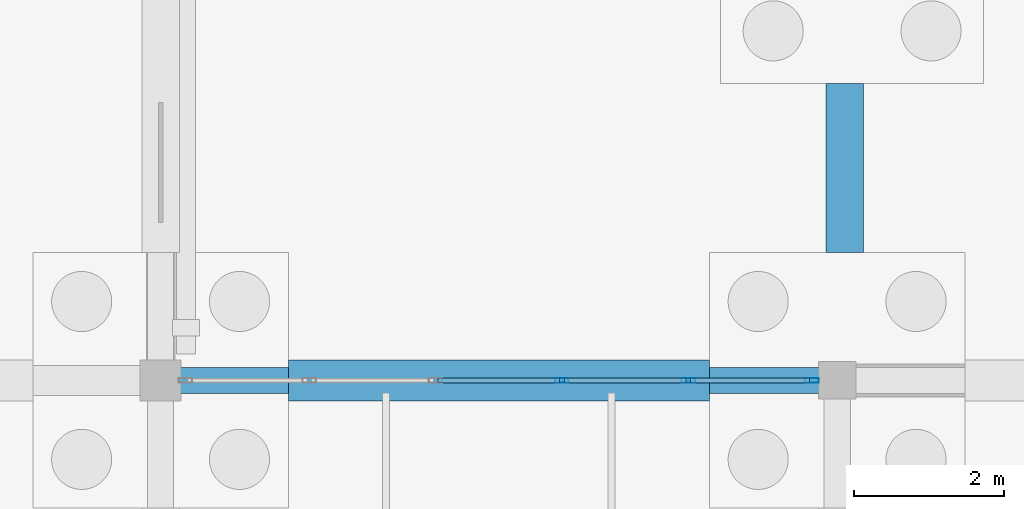
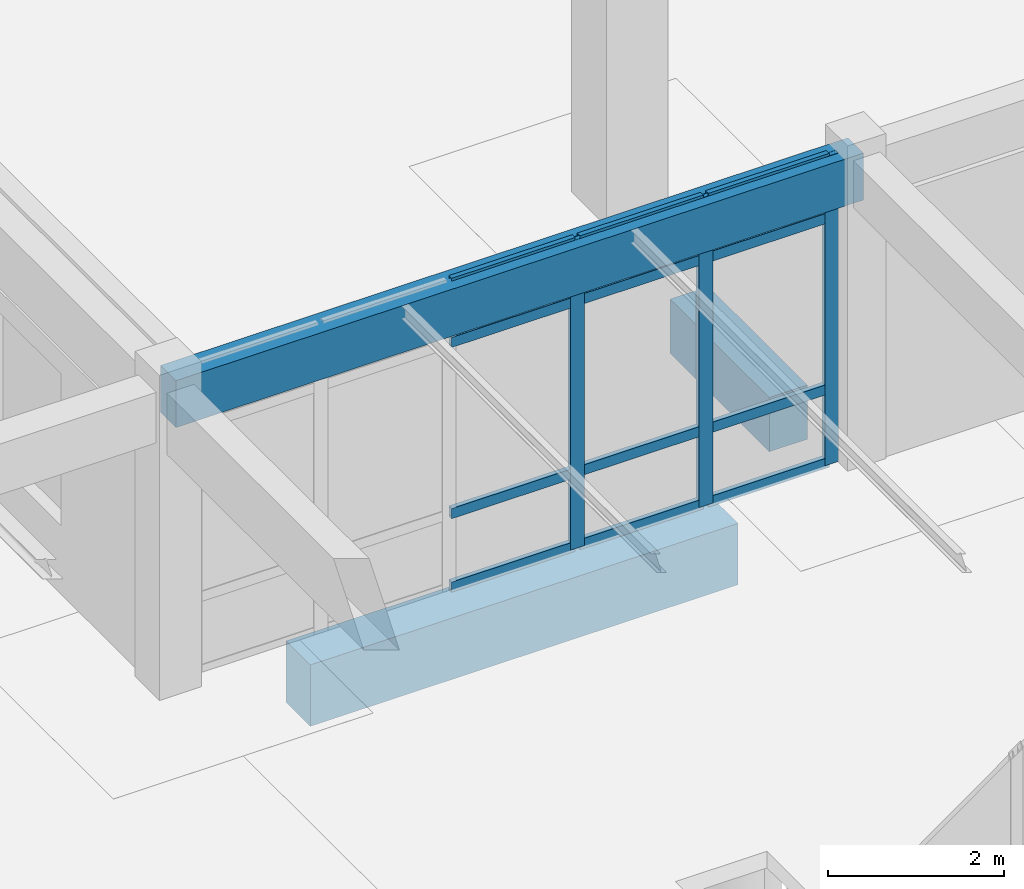
# One storey, part 31 of 186: 15 members, 3 beams, 1 element without a shape of its own.
"""IFC4 building model written with IfcOpenShell, lengths in metres."""

from ifc_helpers import new_model, si_unit, direction, frame, origin, origin_2d, place, context, subcontext, project, spatial, rectangle, hollow_rectangle, extrude, material, layer, layer_set, material_profile, profile_set, type_object, element, aggregate, save


model = new_model("IFC4")

# Units and contexts
model_context = context("Model", 3, precision=1e-05, world=origin(), true_north=direction((0.0, 1.0)))
body_context = subcontext(model_context, "Body", "Model", "MODEL_VIEW")
ifc_project = project(units=[si_unit("LENGTHUNIT", "METRE"), si_unit("AREAUNIT", "SQUARE_METRE"), si_unit("VOLUMEUNIT", "CUBIC_METRE"), si_unit("PLANEANGLEUNIT", "RADIAN"), si_unit("MASSUNIT", "GRAM", prefix="KILO")], contexts=[model_context])

# Site, building, storey
site_placement = place(None, origin())
site = spatial("IfcSite", under=ifc_project, at=site_placement, CompositionType="ELEMENT")
building_placement = place(site_placement, origin())
building = spatial("IfcBuilding", under=site, at=building_placement, Name="Ornek Quay Market", CompositionType="ELEMENT")
storey_placement = place(building_placement, origin())
storey = spatial("IfcBuildingStorey", under=building, at=storey_placement, Name="L00", CompositionType="ELEMENT", Elevation=0.0)

# Beams
ifc_material_1 = material(Name="Concrete C35/45", Category="concrete")
ifc_material_profile_1 = material_profile(ifc_material_1, rectangle(XDim=0.35009765625, YDim=0.64990234375, at=origin_2d()), Name="RC 350x650", Category="concrete")
ifc_profile_set_1 = profile_set([ifc_material_profile_1], Name="Concrete C35/45")
beam_type_1 = type_object("IfcBeamType", Name="BM-CONC-350x650", PredefinedType="BEAM", material=ifc_profile_set_1)
beam_1_placement = place(storey_placement, frame((27.0, 29.0, 3.945068359375), z_axis=(1.0, 0.0, 0.0), x_axis=(0.0, 1.0, 0.0)))
element("IfcBeam", 1, at=beam_1_placement, inside=storey, type_object=beam_type_1, Name="Primary beam B-CN1-067", PredefinedType="BEAM", context=body_context, shape_type="SweptSolid", body=[
    extrude(rectangle(XDim=0.35009765625, YDim=0.64990234375, at=origin_2d()), origin(), (0.0, 0.0, 1.0), 9.0),
])
ifc_material_profile_2 = material_profile(ifc_material_1, rectangle(XDim=0.5, YDim=0.75, at=origin_2d()), Name="RC 500x750", Category="concrete")
ifc_profile_set_2 = profile_set([ifc_material_profile_2], Name="Concrete C35/45")
beam_type_2 = type_object("IfcBeamType", Name="BM-GB-500x750", PredefinedType="BEAM", material=ifc_profile_set_2)
beam_2_placement = place(storey_placement, frame((36.10009765625, 30.699951171875, -0.574951171875), z_axis=(0.0, 1.0, 0.0), x_axis=(-1.0, 0.0, 0.0)))
element("IfcBeam", 2, at=beam_2_placement, inside=storey, type_object=beam_type_2, Name="Ground tie beam GB-089", PredefinedType="BEAM", context=body_context, shape_type="SweptSolid", body=[
    extrude(rectangle(XDim=0.5, YDim=0.75, at=origin_2d()), origin(), (0.0, 0.0, 1.0), 2.25),
])
ifc_material_profile_3 = material_profile(ifc_material_1, rectangle(XDim=0.550048828125, YDim=0.85009765625, at=origin_2d()), Name="RC 550x850", Category="concrete")
ifc_profile_set_3 = profile_set([ifc_material_profile_3], Name="Concrete C35/45")
beam_type_3 = type_object("IfcBeamType", Name="BM-GB-550x850", PredefinedType="BEAM", material=ifc_profile_set_3)
beam_3_placement = place(storey_placement, frame((28.699951171875, 29.0, -0.625), z_axis=(1.0, 0.0, 0.0), x_axis=(0.0, 1.0, 0.0)))
element("IfcBeam", 3, at=beam_3_placement, inside=storey, type_object=beam_type_3, Name="Ground tie beam GB-006", PredefinedType="BEAM", context=body_context, shape_type="SweptSolid", body=[
    extrude(rectangle(XDim=0.550048828125, YDim=0.85009765625, at=origin_2d()), origin(), (0.0, 0.0, 1.0), 5.60009765625),
])

# Curtain wall, members
ifc_material_2 = material(Name="Anodised bronze aluminium and triple low-e glass", Category="aluminium")
ifc_layer = layer(ifc_material_2, 0.199951171875, Name="Anodised bronze aluminium and triple low-e glass", Category="aluminium")
ifc_layer_set = layer_set([ifc_layer], Name="Anodised bronze aluminium and triple low-e glass")
curtain_wall_type = type_object("IfcCurtainWallType", Name="CW-CONC-MOD1800", PredefinedType="USERDEFINED", material=ifc_layer_set)
curtain_wall_placement = place(storey_placement, origin())
curtain_wall = element("IfcCurtainWall", 4, at=curtain_wall_placement, inside=storey, type_object=curtain_wall_type, Name="Curtain wall CW-007", ObjectType="CURTAIN WALL", PredefinedType="USERDEFINED")
ifc_material_3 = material(Name="Anodised aluminium 6063-T6", Category="aluminium")
ifc_material_profile_4 = material_profile(ifc_material_3, hollow_rectangle(XDim=0.06494140625, YDim=0.179931640625, WallThickness=0.00439453125, at=origin_2d()), Name="CW-MUL-65x180", Category="aluminium")
ifc_profile_set_4 = profile_set([ifc_material_profile_4], Name="Anodised aluminium 6063-T6")
member_type_1 = type_object("IfcMemberType", Name="CW-MUL-65x180", PredefinedType="MULLION", material=ifc_profile_set_4)
member_1_placement = place(storey_placement, frame((32.340087890625, 29.0, 0.0), z_axis=(0.0, 0.0, 1.0), x_axis=(0.0, 1.0, 0.0)))
member_1 = element("IfcMember", 5, at=member_1_placement, type_object=member_type_1, Name="CW-007 mullion 4", PredefinedType="MULLION", context=body_context, shape_type="SweptSolid", body=[
    extrude(hollow_rectangle(XDim=0.06494140625, YDim=0.179931640625, WallThickness=0.00439453125, at=origin_2d()), origin(), (0.0, 0.0, 1.0), 4.27001953125),
])
member_2_placement = place(storey_placement, frame((34.02001953125, 29.0, 0.0), z_axis=(0.0, 0.0, 1.0), x_axis=(0.0, 1.0, 0.0)))
member_2 = element("IfcMember", 6, at=member_2_placement, type_object=member_type_1, Name="CW-007 mullion 5", PredefinedType="MULLION", context=body_context, shape_type="SweptSolid", body=[
    extrude(hollow_rectangle(XDim=0.06494140625, YDim=0.179931640625, WallThickness=0.00439453125, at=origin_2d()), origin(), (0.0, 0.0, 1.0), 4.27001953125),
])
member_3_placement = place(storey_placement, frame((35.66748046875, 29.0, 0.0), z_axis=(0.0, 0.0, 1.0), x_axis=(0.0, 1.0, 0.0)))
member_3 = element("IfcMember", 7, at=member_3_placement, type_object=member_type_1, Name="CW-007 mullion 6", PredefinedType="MULLION", context=body_context, shape_type="SweptSolid", body=[
    extrude(hollow_rectangle(XDim=0.06494140625, YDim=0.179931640625, WallThickness=0.00439453125, at=origin_2d()), origin(), (0.0, 0.0, 1.0), 4.27001953125),
])
ifc_material_profile_5 = material_profile(ifc_material_3, hollow_rectangle(XDim=0.06494140625, YDim=0.139892578125, WallThickness=0.00439453125, at=origin_2d()), Name="CW-TRN-65x140", Category="aluminium")
ifc_profile_set_5 = profile_set([ifc_material_profile_5], Name="Anodised aluminium 6063-T6")
member_type_2 = type_object("IfcMemberType", Name="CW-TRN-65x140", PredefinedType="USERDEFINED", material=ifc_profile_set_5)
member_4_placement = place(storey_placement, frame((30.6923828125, 29.0, 0.032470703125), z_axis=(1.0, 0.0, 0.0), x_axis=(0.0, 1.0, 0.0)))
member_4 = element("IfcMember", 8, at=member_4_placement, type_object=member_type_2, Name="CW-007 transom 3.1", ObjectType="TRANSOM", PredefinedType="USERDEFINED", context=body_context, shape_type="SweptSolid", body=[
    extrude(hollow_rectangle(XDim=0.06494140625, YDim=0.139892578125, WallThickness=0.00439453125, at=origin_2d()), origin(), (0.0, 0.0, 1.0), 1.615234375),
])
member_5_placement = place(storey_placement, frame((30.6923828125, 29.0, 1.050048828125), z_axis=(1.0, 0.0, 0.0), x_axis=(0.0, 1.0, 0.0)))
member_5 = element("IfcMember", 9, at=member_5_placement, type_object=member_type_2, Name="CW-007 transom 3.2", ObjectType="TRANSOM", PredefinedType="USERDEFINED", context=body_context, shape_type="SweptSolid", body=[
    extrude(hollow_rectangle(XDim=0.06494140625, YDim=0.139892578125, WallThickness=0.00439453125, at=origin_2d()), origin(), (0.0, 0.0, 1.0), 1.615234375),
])
member_6_placement = place(storey_placement, frame((30.6923828125, 29.0, 3.419921875), z_axis=(1.0, 0.0, 0.0), x_axis=(0.0, 1.0, 0.0)))
member_6 = element("IfcMember", 10, at=member_6_placement, type_object=member_type_2, Name="CW-007 transom 3.3", ObjectType="TRANSOM", PredefinedType="USERDEFINED", context=body_context, shape_type="SweptSolid", body=[
    extrude(hollow_rectangle(XDim=0.06494140625, YDim=0.139892578125, WallThickness=0.00439453125, at=origin_2d()), origin(), (0.0, 0.0, 1.0), 1.615234375),
])
member_7_placement = place(storey_placement, frame((30.6923828125, 29.0, 4.237548828125), z_axis=(1.0, 0.0, 0.0), x_axis=(0.0, 1.0, 0.0)))
member_7 = element("IfcMember", 11, at=member_7_placement, type_object=member_type_2, Name="CW-007 transom 3.4", ObjectType="TRANSOM", PredefinedType="USERDEFINED", context=body_context, shape_type="SweptSolid", body=[
    extrude(hollow_rectangle(XDim=0.06494140625, YDim=0.139892578125, WallThickness=0.00439453125, at=origin_2d()), origin(), (0.0, 0.0, 1.0), 1.615234375),
])
member_8_placement = place(storey_placement, frame((32.37255859375, 29.0, 0.032470703125), z_axis=(1.0, 0.0, 0.0), x_axis=(0.0, 1.0, 0.0)))
member_8 = element("IfcMember", 12, at=member_8_placement, type_object=member_type_2, Name="CW-007 transom 4.1", ObjectType="TRANSOM", PredefinedType="USERDEFINED", context=body_context, shape_type="SweptSolid", body=[
    extrude(hollow_rectangle(XDim=0.06494140625, YDim=0.139892578125, WallThickness=0.00439453125, at=origin_2d()), origin(), (0.0, 0.0, 1.0), 1.614990234375),
])
member_9_placement = place(storey_placement, frame((32.37255859375, 29.0, 1.050048828125), z_axis=(1.0, 0.0, 0.0), x_axis=(0.0, 1.0, 0.0)))
member_9 = element("IfcMember", 13, at=member_9_placement, type_object=member_type_2, Name="CW-007 transom 4.2", ObjectType="TRANSOM", PredefinedType="USERDEFINED", context=body_context, shape_type="SweptSolid", body=[
    extrude(hollow_rectangle(XDim=0.06494140625, YDim=0.139892578125, WallThickness=0.00439453125, at=origin_2d()), origin(), (0.0, 0.0, 1.0), 1.614990234375),
])
member_10_placement = place(storey_placement, frame((32.37255859375, 29.0, 3.419921875), z_axis=(1.0, 0.0, 0.0), x_axis=(0.0, 1.0, 0.0)))
member_10 = element("IfcMember", 14, at=member_10_placement, type_object=member_type_2, Name="CW-007 transom 4.3", ObjectType="TRANSOM", PredefinedType="USERDEFINED", context=body_context, shape_type="SweptSolid", body=[
    extrude(hollow_rectangle(XDim=0.06494140625, YDim=0.139892578125, WallThickness=0.00439453125, at=origin_2d()), origin(), (0.0, 0.0, 1.0), 1.614990234375),
])
member_11_placement = place(storey_placement, frame((32.37255859375, 29.0, 4.237548828125), z_axis=(1.0, 0.0, 0.0), x_axis=(0.0, 1.0, 0.0)))
member_11 = element("IfcMember", 15, at=member_11_placement, type_object=member_type_2, Name="CW-007 transom 4.4", ObjectType="TRANSOM", PredefinedType="USERDEFINED", context=body_context, shape_type="SweptSolid", body=[
    extrude(hollow_rectangle(XDim=0.06494140625, YDim=0.139892578125, WallThickness=0.00439453125, at=origin_2d()), origin(), (0.0, 0.0, 1.0), 1.614990234375),
])
member_12_placement = place(storey_placement, frame((34.052490234375, 29.0, 0.032470703125), z_axis=(1.0, 0.0, 0.0), x_axis=(0.0, 1.0, 0.0)))
member_12 = element("IfcMember", 16, at=member_12_placement, type_object=member_type_2, Name="CW-007 transom 5.1", ObjectType="TRANSOM", PredefinedType="USERDEFINED", context=body_context, shape_type="SweptSolid", body=[
    extrude(hollow_rectangle(XDim=0.06494140625, YDim=0.139892578125, WallThickness=0.00439453125, at=origin_2d()), origin(), (0.0, 0.0, 1.0), 1.58251953125),
])
member_13_placement = place(storey_placement, frame((34.052490234375, 29.0, 1.050048828125), z_axis=(1.0, 0.0, 0.0), x_axis=(0.0, 1.0, 0.0)))
member_13 = element("IfcMember", 17, at=member_13_placement, type_object=member_type_2, Name="CW-007 transom 5.2", ObjectType="TRANSOM", PredefinedType="USERDEFINED", context=body_context, shape_type="SweptSolid", body=[
    extrude(hollow_rectangle(XDim=0.06494140625, YDim=0.139892578125, WallThickness=0.00439453125, at=origin_2d()), origin(), (0.0, 0.0, 1.0), 1.58251953125),
])
member_14_placement = place(storey_placement, frame((34.052490234375, 29.0, 3.419921875), z_axis=(1.0, 0.0, 0.0), x_axis=(0.0, 1.0, 0.0)))
member_14 = element("IfcMember", 18, at=member_14_placement, type_object=member_type_2, Name="CW-007 transom 5.3", ObjectType="TRANSOM", PredefinedType="USERDEFINED", context=body_context, shape_type="SweptSolid", body=[
    extrude(hollow_rectangle(XDim=0.06494140625, YDim=0.139892578125, WallThickness=0.00439453125, at=origin_2d()), origin(), (0.0, 0.0, 1.0), 1.58251953125),
])
member_15_placement = place(storey_placement, frame((34.052490234375, 29.0, 4.237548828125), z_axis=(1.0, 0.0, 0.0), x_axis=(0.0, 1.0, 0.0)))
member_15 = element("IfcMember", 19, at=member_15_placement, type_object=member_type_2, Name="CW-007 transom 5.4", ObjectType="TRANSOM", PredefinedType="USERDEFINED", context=body_context, shape_type="SweptSolid", body=[
    extrude(hollow_rectangle(XDim=0.06494140625, YDim=0.139892578125, WallThickness=0.00439453125, at=origin_2d()), origin(), (0.0, 0.0, 1.0), 1.58251953125),
])
aggregate(curtain_wall, [member_1, member_2, member_3, member_4, member_5, member_6, member_7, member_8, member_9, member_10, member_11, member_12, member_13, member_14, member_15])

save(model, "model.ifc")
